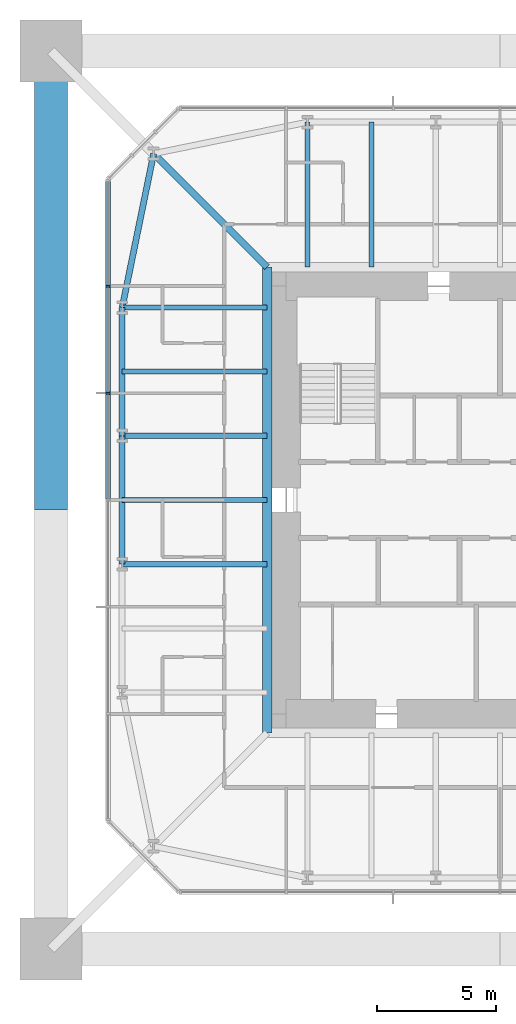
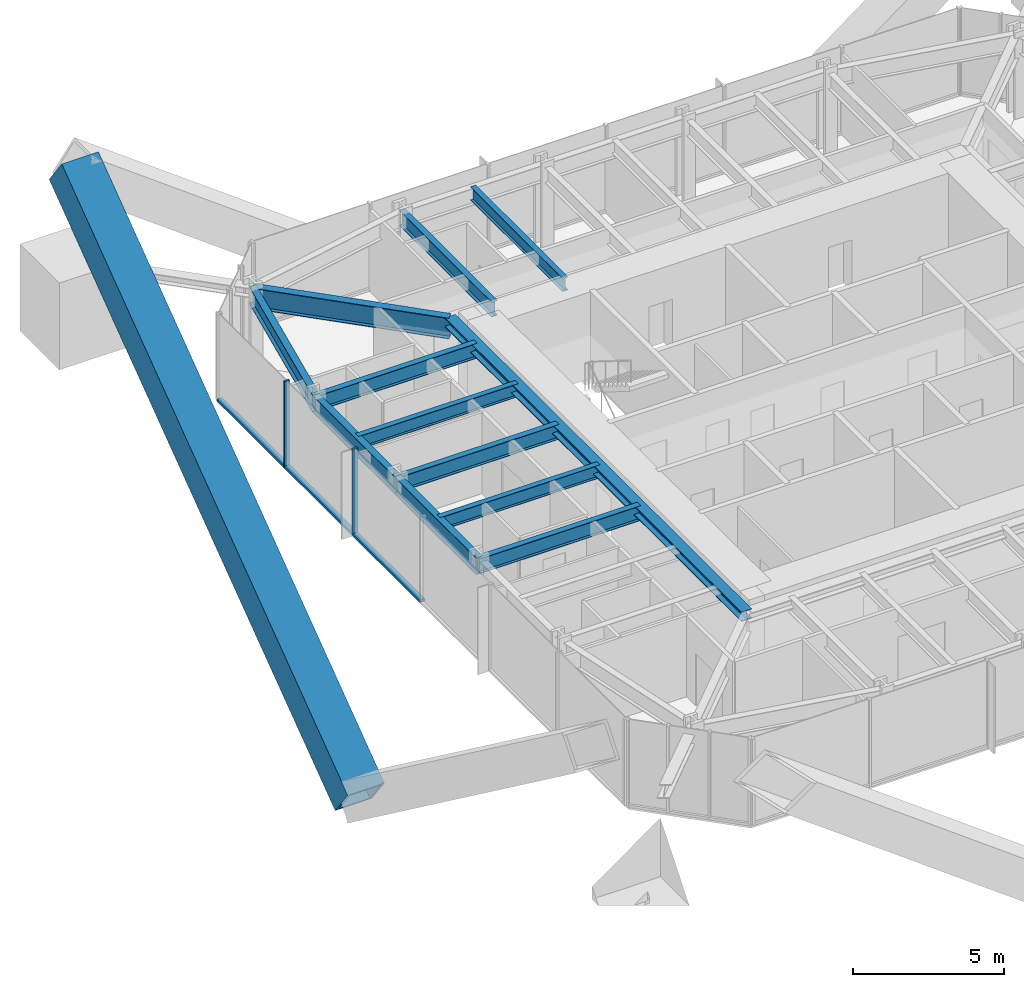
# One storey, part 3 of 10: 12 beams, 6 members, 1 element without a shape of its own.
"""IFC4 building model written with IfcOpenShell, lengths in metres."""

from ifc_helpers import new_model, si_unit, direction, frame, origin, origin_2d, place, context, subcontext, project, spatial, rectangle, hollow_rectangle, i_section, extrude, material, material_profile, profile_set, type_object, element, aggregate, save


model = new_model("IFC4")

# Units and contexts
model_context = context("Model", 3, precision=1e-05, world=origin(), true_north=direction((0.0, 1.0)))
body_context = subcontext(model_context, "Body", "Model", "MODEL_VIEW")
ifc_project = project(units=[si_unit("LENGTHUNIT", "METRE"), si_unit("AREAUNIT", "SQUARE_METRE"), si_unit("VOLUMEUNIT", "CUBIC_METRE"), si_unit("PLANEANGLEUNIT", "RADIAN"), si_unit("MASSUNIT", "GRAM", prefix="KILO")], contexts=[model_context])

# Site, building, storey
site_placement = place(None, origin())
site = spatial("IfcSite", under=ifc_project, at=site_placement, CompositionType="ELEMENT")
building_placement = place(site_placement, origin())
building = spatial("IfcBuilding", under=site, at=building_placement, Name="Iwan Alto Co-Living Towers", CompositionType="ELEMENT")
storey_placement = place(building_placement, frame((0.0, 0.0, 260.5)))
storey = spatial("IfcBuildingStorey", under=building, at=storey_placement, Name="L71", CompositionType="ELEMENT", Elevation=260.5)

# Curtain wall, members
ifc_material_1 = material(Name="Bronze aluminium unitised frame", Category="aluminium")
curtain_wall_type = type_object("IfcCurtainWallType", Name="CURTAIN WALL CW-A", PredefinedType="NOTDEFINED", material=ifc_material_1)
curtain_wall_placement = place(storey_placement, origin())
curtain_wall = element("IfcCurtainWall", 1, at=curtain_wall_placement, inside=storey, type_object=curtain_wall_type, Name="T1 curtain wall W L71", PredefinedType="NOTDEFINED")
ifc_material_2 = material(Name="Aluminium 6063-T6 bronze anodised", Category="aluminium")
ifc_material_profile_1 = material_profile(ifc_material_2, rectangle(XDim=0.199951171875, YDim=0.080078125, at=origin_2d()), Name="AL 80X200")
ifc_profile_set_1 = profile_set([ifc_material_profile_1], Name="Aluminium 6063-T6 bronze anodised")
member_type_1 = type_object("IfcMemberType", Name="CW-A MULLION 80X200", PredefinedType="MULLION", material=ifc_profile_set_1)
member_1_placement = place(storey_placement, frame((-16.5, 9.0, 0.0), z_axis=(0.0, 0.0, 1.0), x_axis=(1.0, 0.0, 0.0)))
member_1 = element("IfcMember", 2, at=member_1_placement, type_object=member_type_1, Name="CW-A mullion 2", PredefinedType="MULLION", context=body_context, shape_type="SweptSolid", body=[
    extrude(rectangle(XDim=0.199951171875, YDim=0.080078125, at=origin_2d()), origin(), (0.0, 0.0, 1.0), 3.5),
])
member_2_placement = place(storey_placement, frame((-16.5, 4.5, 0.0), z_axis=(0.0, 0.0, 1.0), x_axis=(1.0, 0.0, 0.0)))
member_2 = element("IfcMember", 3, at=member_2_placement, type_object=member_type_1, Name="CW-A mullion 3", PredefinedType="MULLION", context=body_context, shape_type="SweptSolid", body=[
    extrude(rectangle(XDim=0.199951171875, YDim=0.080078125, at=origin_2d()), origin(), (0.0, 0.0, 1.0), 3.5),
])
ifc_material_3 = material(Name="Aluminium 6063-T6 bronze anodised", Category="aluminium")
ifc_material_profile_2 = material_profile(ifc_material_3, rectangle(XDim=0.199951171875, YDim=0.10009765625, at=origin_2d()), Name="AL 200X100")
ifc_profile_set_2 = profile_set([ifc_material_profile_2], Name="Aluminium 6063-T6 bronze anodised")
member_type_2 = type_object("IfcMemberType", Name="CW-A TRANSOM 200X100", PredefinedType="USERDEFINED", material=ifc_profile_set_2)
member_3_placement = place(storey_placement, frame((-16.5, 13.419921875, 0.050048828125), z_axis=(0.0, -1.0, 0.0), x_axis=(1.0, 0.0, 0.0)))
member_3 = element("IfcMember", 4, at=member_3_placement, type_object=member_type_2, Name="CW-A transom 1.1", ObjectType="TRANSOM", PredefinedType="USERDEFINED", context=body_context, shape_type="SweptSolid", body=[
    extrude(rectangle(XDim=0.199951171875, YDim=0.10009765625, at=origin_2d()), origin(), (0.0, 0.0, 1.0), 4.3798828125),
])
member_4_placement = place(storey_placement, frame((-16.5, 8.9599609375, 0.050048828125), z_axis=(0.0, -1.0, 0.0), x_axis=(1.0, 0.0, 0.0)))
member_4 = element("IfcMember", 5, at=member_4_placement, type_object=member_type_2, Name="CW-A transom 2.1", ObjectType="TRANSOM", PredefinedType="USERDEFINED", context=body_context, shape_type="SweptSolid", body=[
    extrude(rectangle(XDim=0.199951171875, YDim=0.10009765625, at=origin_2d()), origin(), (0.0, 0.0, 1.0), 4.419921875),
])
member_5_placement = place(storey_placement, frame((-16.5, 4.4599609375, 0.050048828125), z_axis=(0.0, -1.0, 0.0), x_axis=(1.0, 0.0, 0.0)))
member_5 = element("IfcMember", 6, at=member_5_placement, type_object=member_type_2, Name="CW-A transom 3.1", ObjectType="TRANSOM", PredefinedType="USERDEFINED", context=body_context, shape_type="SweptSolid", body=[
    extrude(rectangle(XDim=0.199951171875, YDim=0.10009765625, at=origin_2d()), origin(), (0.0, 0.0, 1.0), 4.419921875),
])
aggregate(curtain_wall, [member_1, member_2, member_3, member_4, member_5])

# Beams
ifc_material_4 = material(Name="Steel ASTM A992 Gr 50", Category="steel")
ifc_material_profile_3 = material_profile(ifc_material_4, i_section(OverallWidth=0.398681640625, OverallDepth=0.385986328125, WebThickness=0.02099609375, FlangeThickness=0.033203125, at=origin_2d()), Name="W14X176")
ifc_profile_set_3 = profile_set([ifc_material_profile_3], Name="Steel ASTM A992 Gr 50")
beam_type_1 = type_object("IfcBeamType", Name="T1 CORE LEDGER BEAM W14X176", PredefinedType="BEAM", material=ifc_profile_set_3)
beam_1_placement = place(storey_placement, frame((-9.79931640625, 9.79931640625, 3.076904296875), z_axis=(0.0, -1.0, 0.0), x_axis=(1.0, 0.0, 0.0)))
element("IfcBeam", 7, at=beam_1_placement, inside=storey, type_object=beam_type_1, Name="T1 core ledger beam W L72", PredefinedType="BEAM", context=body_context, shape_type="SweptSolid", body=[
    extrude(i_section(OverallWidth=0.398681640625, OverallDepth=0.385986328125, WebThickness=0.02099609375, FlangeThickness=0.033203125, at=origin_2d()), origin(), (0.0, 0.0, 1.0), 19.5986328125),
])
ifc_material_5 = material(Name="Steel ASTM A992 Gr 50", Category="steel")
ifc_material_profile_4 = material_profile(ifc_material_5, i_section(OverallWidth=0.2919921875, OverallDepth=0.8408203125, WebThickness=0.0146484375, FlangeThickness=0.021728515625, at=origin_2d()), Name="W33X130")
ifc_profile_set_4 = profile_set([ifc_material_profile_4], Name="Steel ASTM A992 Gr 50")
beam_type_2 = type_object("IfcBeamType", Name="T1 CORNER GIRDER W33X130", PredefinedType="BEAM", material=ifc_profile_set_4)
beam_2_placement = place(storey_placement, frame((-14.57568359375, 14.57568359375, 2.849609375), z_axis=(0.707106781187, -0.707106781187, 0.0), x_axis=(0.707106781187, 0.707106781187, 0.0)))
element("IfcBeam", 8, at=beam_2_placement, inside=storey, type_object=beam_type_2, Name="T1 corner girder CNW L72", PredefinedType="BEAM", context=body_context, shape_type="SweptSolid", body=[
    extrude(i_section(OverallWidth=0.2919921875, OverallDepth=0.8408203125, WebThickness=0.0146484375, FlangeThickness=0.021728515625, at=origin_2d()), origin(), (0.0, 0.0, 1.0), 6.7548828125),
])
ifc_material_6 = material(Name="Steel ASTM A992 Gr 50", Category="steel")
ifc_material_profile_5 = material_profile(ifc_material_6, i_section(OverallWidth=0.25390625, OverallDepth=0.683349609375, WebThickness=0.012451171875, FlangeThickness=0.018798828125, at=origin_2d()), Name="W27X94")
ifc_profile_set_5 = profile_set([ifc_material_profile_5], Name="Steel ASTM A992 Gr 50")
beam_type_3 = type_object("IfcBeamType", Name="T1 EDGE BEAM W27X94", PredefinedType="BEAM", material=ifc_profile_set_5)
beam_3_placement = place(storey_placement, frame((-14.57568359375, 14.57568359375, 2.928466796875), z_axis=(-0.200347889618, -0.979724820103, 0.0), x_axis=(0.979724820103, -0.200347889618, 0.0)))
element("IfcBeam", 9, at=beam_3_placement, inside=storey, type_object=beam_type_3, Name="T1 edge beam CNW L72", PredefinedType="BEAM", context=body_context, shape_type="SweptSolid", body=[
    extrude(i_section(OverallWidth=0.25390625, OverallDepth=0.683349609375, WebThickness=0.012451171875, FlangeThickness=0.018798828125, at=origin_2d()), origin(), (0.0, 0.0, 1.0), 6.609619140625),
])
beam_4_placement = place(storey_placement, frame((-15.89990234375, 8.10009765625, 2.928466796875), z_axis=(0.0, -1.0, 0.0), x_axis=(1.0, 0.0, 0.0)))
element("IfcBeam", 10, at=beam_4_placement, inside=storey, type_object=beam_type_3, Name="T1 edge beam W1 L72", PredefinedType="BEAM", context=body_context, shape_type="SweptSolid", body=[
    extrude(i_section(OverallWidth=0.25390625, OverallDepth=0.683349609375, WebThickness=0.012451171875, FlangeThickness=0.018798828125, at=origin_2d()), origin(), (0.0, 0.0, 1.0), 5.400146484375),
])
beam_5_placement = place(storey_placement, frame((-15.89990234375, 2.699951171875, 2.928466796875), z_axis=(0.0, -1.0, 0.0), x_axis=(1.0, 0.0, 0.0)))
element("IfcBeam", 11, at=beam_5_placement, inside=storey, type_object=beam_type_3, Name="T1 edge beam W2 L72", PredefinedType="BEAM", context=body_context, shape_type="SweptSolid", body=[
    extrude(i_section(OverallWidth=0.25390625, OverallDepth=0.683349609375, WebThickness=0.012451171875, FlangeThickness=0.018798828125, at=origin_2d()), origin(), (0.0, 0.0, 1.0), 5.39990234375),
])

# Member
ifc_material_7 = material(Name="Steel ASTM A572 Gr 50", Category="steel")
ifc_material_profile_6 = material_profile(ifc_material_7, hollow_rectangle(XDim=1.39990234375, YDim=1.39990234375, WallThickness=0.10009765625, at=origin_2d()), Name="BOX 1400X1400X100")
ifc_profile_set_6 = profile_set([ifc_material_profile_6], Name="Steel ASTM A572 Gr 50")
member_type_3 = type_object("IfcMemberType", Name="T1 MEGA BRACE BOX 1400X1400X100", PredefinedType="BRACE", material=ifc_profile_set_6)
member_6_placement = place(storey_placement, frame((-18.89990234375, 0.0, -7.0), z_axis=(0.0, 0.803555722309, 0.595229536519), x_axis=(-1.0, 0.0, 0.0)))
element("IfcMember", 12, at=member_6_placement, inside=storey, type_object=member_type_3, Name="T1 mega brace Z4B W 2 upper", PredefinedType="BRACE", context=body_context, shape_type="SweptSolid", body=[
    extrude(hollow_rectangle(XDim=1.39990234375, YDim=1.39990234375, WallThickness=0.10009765625, at=origin_2d()), origin(), (0.0, 0.0, 1.0), 23.520263671875),
])

# Beams
ifc_material_8 = material(Name="Steel ASTM A992 Gr 50", Category="steel")
ifc_material_profile_7 = material_profile(ifc_material_8, i_section(OverallWidth=0.228271484375, OverallDepth=0.607177734375, WebThickness=0.01123046875, FlangeThickness=0.017333984375, at=origin_2d()), Name="W24X76")
ifc_profile_set_7 = profile_set([ifc_material_profile_7], Name="Steel ASTM A992 Gr 50")
beam_type_4 = type_object("IfcBeamType", Name="T1 RADIAL BEAM W24X76", PredefinedType="BEAM", material=ifc_profile_set_7)
for number, where, z_axis, x_axis, name in (
    (13, (-8.10009765625, 15.89990234375, 2.966552734375), (0.0, -1.0, 0.0), (1.0, 0.0, 0.0), "T1 radial beam N4 L72"),
    (14, (-15.89990234375, 8.10009765625, 2.966552734375), (1.0, 0.0, 0.0), (0.0, 1.0, 0.0), "T1 radial beam W1 L72"),
    (15, (-15.89990234375, 2.699951171875, 2.966552734375), (1.0, 0.0, 0.0), (0.0, 1.0, 0.0), "T1 radial beam W2 L72"),
    (16, (-15.89990234375, -2.699951171875, 2.966552734375), (1.0, 0.0, 0.0), (0.0, 1.0, 0.0), "T1 radial beam W3 L72"),
):
    element("IfcBeam", number, at=place(storey_placement, frame(where, z_axis=z_axis, x_axis=x_axis)), inside=storey, type_object=beam_type_4, Name=name, PredefinedType="BEAM", context=body_context, shape_type="SweptSolid", body=[
        extrude(i_section(OverallWidth=0.228271484375, OverallDepth=0.607177734375, WebThickness=0.01123046875, FlangeThickness=0.017333984375, at=origin_2d()), origin(), (0.0, 0.0, 1.0), 6.1005859375),
    ])
ifc_material_9 = material(Name="Steel ASTM A992 Gr 50", Category="steel")
ifc_material_profile_8 = material_profile(ifc_material_9, i_section(OverallWidth=0.209228515625, OverallDepth=0.533447265625, WebThickness=0.01025390625, FlangeThickness=0.015625, at=origin_2d()), Name="W21X62")
ifc_profile_set_8 = profile_set([ifc_material_profile_8], Name="Steel ASTM A992 Gr 50")
beam_type_5 = type_object("IfcBeamType", Name="T1 SECONDARY BEAM W21X62", PredefinedType="JOIST", material=ifc_profile_set_8)
for number, where, z_axis, x_axis, name in (
    (17, (-5.39990234375, 15.89990234375, 3.00341796875), (0.0, -1.0, 0.0), (1.0, 0.0, 0.0), "T1 secondary beam N3 L72"),
    (18, (-15.89990234375, 5.39990234375, 3.00341796875), (1.0, 0.0, 0.0), (0.0, 1.0, 0.0), "T1 secondary beam W1 L72"),
    (19, (-15.89990234375, 0.0, 3.00341796875), (1.0, 0.0, 0.0), (0.0, 1.0, 0.0), "T1 secondary beam W2 L72"),
):
    element("IfcBeam", number, at=place(storey_placement, frame(where, z_axis=z_axis, x_axis=x_axis)), inside=storey, type_object=beam_type_5, Name=name, PredefinedType="JOIST", context=body_context, shape_type="SweptSolid", body=[
        extrude(i_section(OverallWidth=0.209228515625, OverallDepth=0.533447265625, WebThickness=0.01025390625, FlangeThickness=0.015625, at=origin_2d()), origin(), (0.0, 0.0, 1.0), 6.1005859375),
    ])

save(model, "model.ifc")
